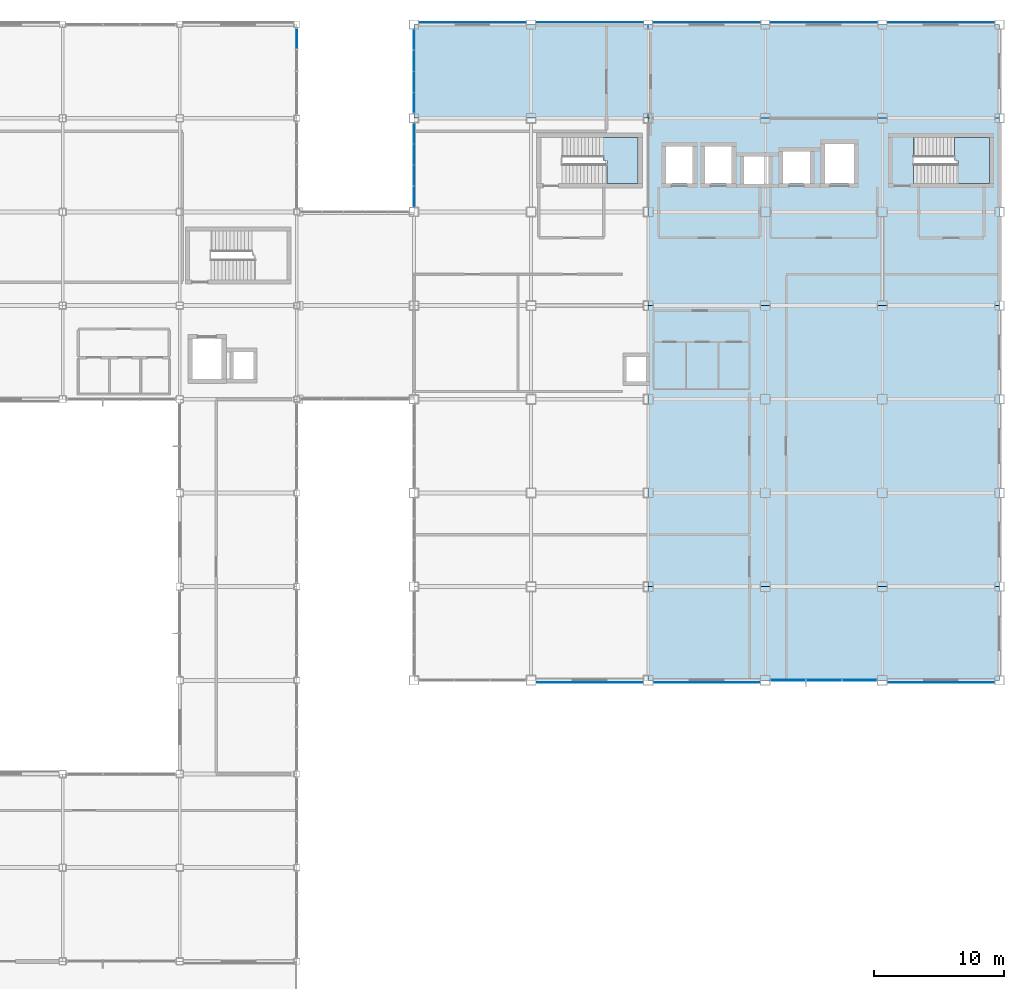
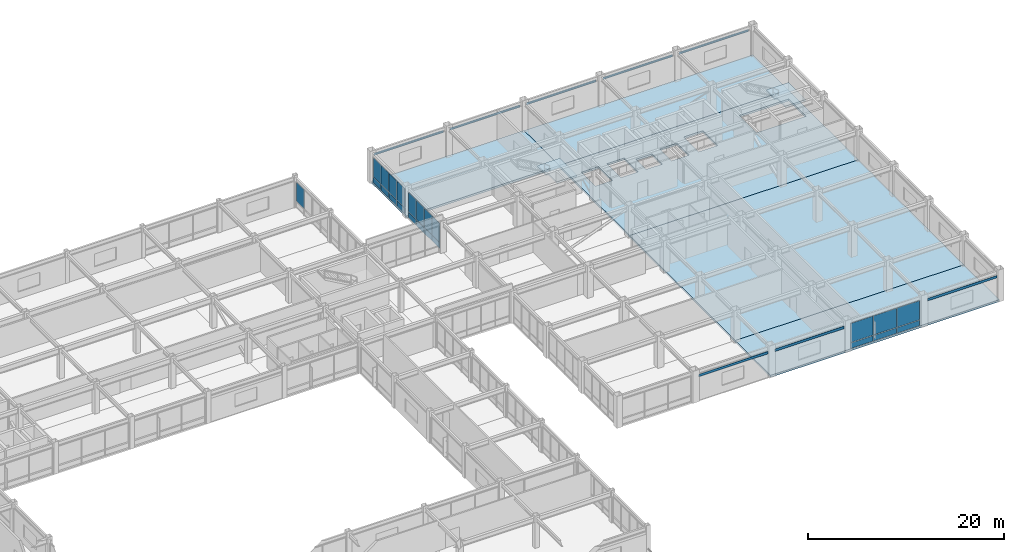
# One storey, part 97 of 122: 31 plates, 7 slabs, 6 elements without a shape of their own.
"""IFC4 building model written with IfcOpenShell, lengths in metres."""

from ifc_helpers import new_model, si_unit, direction, frame, origin, origin_2d, place, context, subcontext, project, spatial, polyline, rectangle, outline, extrude, material, layer, layer_set, type_object, element, aggregate, save


model = new_model("IFC4")

# Units and contexts
model_context = context("Model", 3, precision=1e-05, world=origin(), true_north=direction((0.0, 1.0)))
body_context = subcontext(model_context, "Body", "Model", "MODEL_VIEW")
ifc_project = project(units=[si_unit("LENGTHUNIT", "METRE"), si_unit("AREAUNIT", "SQUARE_METRE"), si_unit("VOLUMEUNIT", "CUBIC_METRE"), si_unit("PLANEANGLEUNIT", "RADIAN"), si_unit("MASSUNIT", "GRAM", prefix="KILO")], contexts=[model_context])

# Site, building, storey
site_placement = place(None, origin())
site = spatial("IfcSite", under=ifc_project, at=site_placement, CompositionType="ELEMENT")
building_placement = place(site_placement, origin())
building = spatial("IfcBuilding", under=site, at=building_placement, Name="Kazanami Central Library", CompositionType="ELEMENT")
storey_placement = place(building_placement, frame((0.0, 0.0, 4.800048828125)))
storey = spatial("IfcBuildingStorey", under=building, at=storey_placement, Name="L02", CompositionType="ELEMENT", Elevation=4.800048828125)

# Curtain wall, plates
ifc_material_1 = material(Name="Acid-Etched Low-E Laminated Glass", Category="glass")
curtain_wall_type_1 = type_object("IfcCurtainWallType", Name="CW-8250x3255-M275", PredefinedType="USERDEFINED", material=ifc_material_1)
curtain_wall_1_placement = place(storey_placement, origin())
curtain_wall_1 = element("IfcCurtainWall", 1, at=curtain_wall_1_placement, inside=storey, type_object=curtain_wall_type_1, Name="Unitised Curtain Wall CW-15 L02 S-G-16", ObjectType="UNITISED CURTAIN WALL", PredefinedType="USERDEFINED")
ifc_layer_1 = layer(ifc_material_1, 0.035888671875, Name="Acid-Etched Low-E Laminated Glass")
ifc_layer_set_1 = layer_set([ifc_layer_1], Name="Acid-Etched Low-E Laminated Glass")
plate_type_1 = type_object("IfcPlateType", Name="PLT-CW-P1", PredefinedType="CURTAIN_PANEL", material=ifc_layer_set_1)
plate_1_placement = place(storey_placement, frame((145.766357421875, 43.199951171875, 0.8125), z_axis=(0.0, 0.0, 1.0), x_axis=(1.0, 0.0, 0.0)))
plate_1 = element("IfcPlate", 2, at=plate_1_placement, type_object=plate_type_1, Name="CW-15 panel 1.2", PredefinedType="CURTAIN_PANEL", context=body_context, shape_type="SweptSolid", body=[
    extrude(rectangle(XDim=2.652587890625, YDim=0.035888671875, at=origin_2d()), origin(), (0.0, 0.0, 1.0), 2.37744140625),
])
plate_2_placement = place(storey_placement, frame((148.5, 43.199951171875, 0.8125), z_axis=(0.0, 0.0, 1.0), x_axis=(1.0, 0.0, 0.0)))
plate_2 = element("IfcPlate", 3, at=plate_2_placement, type_object=plate_type_1, Name="CW-15 panel 2.2", PredefinedType="CURTAIN_PANEL", context=body_context, shape_type="SweptSolid", body=[
    extrude(rectangle(XDim=2.68505859375, YDim=0.035888671875, at=origin_2d()), origin(), (0.0, 0.0, 1.0), 2.37744140625),
])
plate_3_placement = place(storey_placement, frame((151.233642578125, 43.199951171875, 0.8125), z_axis=(0.0, 0.0, 1.0), x_axis=(1.0, 0.0, 0.0)))
plate_3 = element("IfcPlate", 4, at=plate_3_placement, type_object=plate_type_1, Name="CW-15 panel 3.2", PredefinedType="CURTAIN_PANEL", context=body_context, shape_type="SweptSolid", body=[
    extrude(rectangle(XDim=2.652587890625, YDim=0.035888671875, at=origin_2d()), origin(), (0.0, 0.0, 1.0), 2.37744140625),
])

# Curtain wall, plate
curtain_wall_type_2 = type_object("IfcCurtainWallType", Name="CW-6750x3255-M180", PredefinedType="USERDEFINED", material=ifc_material_1)
curtain_wall_2_placement = place(storey_placement, origin())
curtain_wall_2 = element("IfcCurtainWall", 5, at=curtain_wall_2_placement, inside=storey, type_object=curtain_wall_type_2, Name="Covered Link Bridge Curtain Wall CW-21 L02 E-13-12", ObjectType="UNITISED CURTAIN WALL", PredefinedType="USERDEFINED")
ifc_material_2 = material(Name="Low-E Insulated Triple Glass", Category="glass")
ifc_layer_2 = layer(ifc_material_2, 0.0400390625, Name="Low-E Insulated Triple Glass")
ifc_layer_set_2 = layer_set([ifc_layer_2], Name="Low-E Insulated Triple Glass")
plate_type_2 = type_object("IfcPlateType", Name="PLT-CW-P3", PredefinedType="CURTAIN_PANEL", material=ifc_layer_set_2)
plate_4_placement = place(storey_placement, frame((108.0, 92.513671875, 0.81494140625), z_axis=(0.0, 0.0, 1.0), x_axis=(0.0, -1.0, 0.0)))
plate_4 = element("IfcPlate", 6, at=plate_4_placement, type_object=plate_type_2, Name="CW-21 panel 1.2", PredefinedType="CURTAIN_PANEL", context=body_context, shape_type="SweptSolid", body=[
    extrude(rectangle(XDim=1.58251953125, YDim=0.0400390625, at=origin_2d()), origin(), (0.0, 0.0, 1.0), 2.3701171875),
])
aggregate(curtain_wall_2, [plate_4])

# Curtain wall, plates
curtain_wall_type_3 = type_object("IfcCurtainWallType", Name="CW-6500x3255-M180", PredefinedType="USERDEFINED", material=ifc_material_1)
curtain_wall_3_placement = place(storey_placement, origin())
curtain_wall_3 = element("IfcCurtainWall", 7, at=curtain_wall_3_placement, inside=storey, type_object=curtain_wall_type_3, Name="Covered Link Bridge Curtain Wall CW-23 L02 W-14-11", ObjectType="UNITISED CURTAIN WALL", PredefinedType="USERDEFINED")
plate_5_placement = place(storey_placement, frame((117.0, 80.37744140625, 0.81005859375), z_axis=(0.0, 0.0, 1.0), x_axis=(0.0, 1.0, 0.0)))
plate_5 = element("IfcPlate", 8, at=plate_5_placement, type_object=plate_type_2, Name="CW-23 panel 1.2", PredefinedType="CURTAIN_PANEL", context=body_context, shape_type="SweptSolid", body=[
    extrude(rectangle(XDim=1.534912109375, YDim=0.0400390625, at=origin_2d()), origin(), (0.0, 0.0, 1.0), 2.385009765625),
])
plate_6_placement = place(storey_placement, frame((117.0, 81.987548828125, 0.81005859375), z_axis=(0.0, 0.0, 1.0), x_axis=(0.0, 1.0, 0.0)))
plate_6 = element("IfcPlate", 9, at=plate_6_placement, type_object=plate_type_2, Name="CW-23 panel 2.2", PredefinedType="CURTAIN_PANEL", context=body_context, shape_type="SweptSolid", body=[
    extrude(rectangle(XDim=1.56494140625, YDim=0.0400390625, at=origin_2d()), origin(), (0.0, 0.0, 1.0), 2.385009765625),
])
plate_7_placement = place(storey_placement, frame((117.0, 83.612548828125, 0.81005859375), z_axis=(0.0, 0.0, 1.0), x_axis=(0.0, 1.0, 0.0)))
plate_7 = element("IfcPlate", 10, at=plate_7_placement, type_object=plate_type_2, Name="CW-23 panel 3.2", PredefinedType="CURTAIN_PANEL", context=body_context, shape_type="SweptSolid", body=[
    extrude(rectangle(XDim=1.56494140625, YDim=0.0400390625, at=origin_2d()), origin(), (0.0, 0.0, 1.0), 2.385009765625),
])
plate_8_placement = place(storey_placement, frame((117.0, 85.222412109375, 0.81005859375), z_axis=(0.0, 0.0, 1.0), x_axis=(0.0, 1.0, 0.0)))
plate_8 = element("IfcPlate", 11, at=plate_8_placement, type_object=plate_type_2, Name="CW-23 panel 4.2", PredefinedType="CURTAIN_PANEL", context=body_context, shape_type="SweptSolid", body=[
    extrude(rectangle(XDim=1.534912109375, YDim=0.0400390625, at=origin_2d()), origin(), (0.0, 0.0, 1.0), 2.385009765625),
])

curtain_wall_4_placement = place(storey_placement, origin())
curtain_wall_4 = element("IfcCurtainWall", 12, at=curtain_wall_4_placement, inside=storey, type_object=curtain_wall_type_3, Name="Covered Link Bridge Curtain Wall CW-23 L02 W-14-12", ObjectType="UNITISED CURTAIN WALL", PredefinedType="USERDEFINED")
plate_9_placement = place(storey_placement, frame((117.0, 87.577392578125, 0.81005859375), z_axis=(0.0, 0.0, 1.0), x_axis=(0.0, 1.0, 0.0)))
plate_9 = element("IfcPlate", 13, at=plate_9_placement, type_object=plate_type_2, Name="CW-23 panel 1.2", PredefinedType="CURTAIN_PANEL", context=body_context, shape_type="SweptSolid", body=[
    extrude(rectangle(XDim=1.534912109375, YDim=0.0400390625, at=origin_2d()), origin(), (0.0, 0.0, 1.0), 2.385009765625),
])
plate_10_placement = place(storey_placement, frame((117.0, 89.1875, 0.81005859375), z_axis=(0.0, 0.0, 1.0), x_axis=(0.0, 1.0, 0.0)))
plate_10 = element("IfcPlate", 14, at=plate_10_placement, type_object=plate_type_2, Name="CW-23 panel 2.2", PredefinedType="CURTAIN_PANEL", context=body_context, shape_type="SweptSolid", body=[
    extrude(rectangle(XDim=1.56494140625, YDim=0.0400390625, at=origin_2d()), origin(), (0.0, 0.0, 1.0), 2.385009765625),
])
plate_11_placement = place(storey_placement, frame((117.0, 90.8125, 0.81005859375), z_axis=(0.0, 0.0, 1.0), x_axis=(0.0, 1.0, 0.0)))
plate_11 = element("IfcPlate", 15, at=plate_11_placement, type_object=plate_type_2, Name="CW-23 panel 3.2", PredefinedType="CURTAIN_PANEL", context=body_context, shape_type="SweptSolid", body=[
    extrude(rectangle(XDim=1.56494140625, YDim=0.0400390625, at=origin_2d()), origin(), (0.0, 0.0, 1.0), 2.385009765625),
])
plate_12_placement = place(storey_placement, frame((117.0, 92.422607421875, 0.81005859375), z_axis=(0.0, 0.0, 1.0), x_axis=(0.0, 1.0, 0.0)))
plate_12 = element("IfcPlate", 16, at=plate_12_placement, type_object=plate_type_2, Name="CW-23 panel 4.2", PredefinedType="CURTAIN_PANEL", context=body_context, shape_type="SweptSolid", body=[
    extrude(rectangle(XDim=1.534912109375, YDim=0.0400390625, at=origin_2d()), origin(), (0.0, 0.0, 1.0), 2.385009765625),
])

# Plate
ifc_material_3 = material(Name="Anodised Aluminium A5052-H32", Category="aluminium")
ifc_layer_3 = layer(ifc_material_3, 0.052001953125, Name="Anodised Aluminium A5052-H32")
ifc_layer_set_3 = layer_set([ifc_layer_3], Name="Anodised Aluminium A5052-H32")
plate_type_3 = type_object("IfcPlateType", Name="PLT-CW-SP2", PredefinedType="CURTAIN_PANEL", material=ifc_layer_set_3)
plate_13_placement = place(storey_placement, frame((145.766357421875, 43.199951171875, 0.06494140625), z_axis=(0.0, 0.0, 1.0), x_axis=(1.0, 0.0, 0.0)))
plate_13 = element("IfcPlate", 17, at=plate_13_placement, type_object=plate_type_3, Name="CW-15 panel 1.1", PredefinedType="CURTAIN_PANEL", context=body_context, shape_type="SweptSolid", body=[
    extrude(rectangle(XDim=2.652587890625, YDim=0.052001953125, at=origin_2d()), origin(), (0.0, 0.0, 1.0), 0.6826171875),
])

plate_14_placement = place(storey_placement, frame((148.5, 43.199951171875, 0.06494140625), z_axis=(0.0, 0.0, 1.0), x_axis=(1.0, 0.0, 0.0)))
plate_14 = element("IfcPlate", 18, at=plate_14_placement, type_object=plate_type_3, Name="CW-15 panel 2.1", PredefinedType="CURTAIN_PANEL", context=body_context, shape_type="SweptSolid", body=[
    extrude(rectangle(XDim=2.68505859375, YDim=0.052001953125, at=origin_2d()), origin(), (0.0, 0.0, 1.0), 0.6826171875),
])

plate_15_placement = place(storey_placement, frame((151.233642578125, 43.199951171875, 0.06494140625), z_axis=(0.0, 0.0, 1.0), x_axis=(1.0, 0.0, 0.0)))
plate_15 = element("IfcPlate", 19, at=plate_15_placement, type_object=plate_type_3, Name="CW-15 panel 3.1", PredefinedType="CURTAIN_PANEL", context=body_context, shape_type="SweptSolid", body=[
    extrude(rectangle(XDim=2.652587890625, YDim=0.052001953125, at=origin_2d()), origin(), (0.0, 0.0, 1.0), 0.6826171875),
])

aggregate(curtain_wall_1, [plate_13, plate_1, plate_14, plate_2, plate_15, plate_3])

plate_16_placement = place(storey_placement, frame((117.0, 80.37744140625, 0.06005859375), z_axis=(0.0, 0.0, 1.0), x_axis=(0.0, 1.0, 0.0)))
plate_16 = element("IfcPlate", 20, at=plate_16_placement, type_object=plate_type_3, Name="CW-23 panel 1.1", PredefinedType="CURTAIN_PANEL", context=body_context, shape_type="SweptSolid", body=[
    extrude(rectangle(XDim=1.534912109375, YDim=0.052001953125, at=origin_2d()), origin(), (0.0, 0.0, 1.0), 0.68994140625),
])

plate_17_placement = place(storey_placement, frame((117.0, 81.987548828125, 0.06005859375), z_axis=(0.0, 0.0, 1.0), x_axis=(0.0, 1.0, 0.0)))
plate_17 = element("IfcPlate", 21, at=plate_17_placement, type_object=plate_type_3, Name="CW-23 panel 2.1", PredefinedType="CURTAIN_PANEL", context=body_context, shape_type="SweptSolid", body=[
    extrude(rectangle(XDim=1.56494140625, YDim=0.052001953125, at=origin_2d()), origin(), (0.0, 0.0, 1.0), 0.68994140625),
])

plate_18_placement = place(storey_placement, frame((117.0, 83.612548828125, 0.06005859375), z_axis=(0.0, 0.0, 1.0), x_axis=(0.0, 1.0, 0.0)))
plate_18 = element("IfcPlate", 22, at=plate_18_placement, type_object=plate_type_3, Name="CW-23 panel 3.1", PredefinedType="CURTAIN_PANEL", context=body_context, shape_type="SweptSolid", body=[
    extrude(rectangle(XDim=1.56494140625, YDim=0.052001953125, at=origin_2d()), origin(), (0.0, 0.0, 1.0), 0.68994140625),
])

plate_19_placement = place(storey_placement, frame((117.0, 85.222412109375, 0.06005859375), z_axis=(0.0, 0.0, 1.0), x_axis=(0.0, 1.0, 0.0)))
plate_19 = element("IfcPlate", 23, at=plate_19_placement, type_object=plate_type_3, Name="CW-23 panel 4.1", PredefinedType="CURTAIN_PANEL", context=body_context, shape_type="SweptSolid", body=[
    extrude(rectangle(XDim=1.534912109375, YDim=0.052001953125, at=origin_2d()), origin(), (0.0, 0.0, 1.0), 0.68994140625),
])

aggregate(curtain_wall_3, [plate_16, plate_5, plate_17, plate_6, plate_18, plate_7, plate_19, plate_8])

plate_20_placement = place(storey_placement, frame((117.0, 87.577392578125, 0.06005859375), z_axis=(0.0, 0.0, 1.0), x_axis=(0.0, 1.0, 0.0)))
plate_20 = element("IfcPlate", 24, at=plate_20_placement, type_object=plate_type_3, Name="CW-23 panel 1.1", PredefinedType="CURTAIN_PANEL", context=body_context, shape_type="SweptSolid", body=[
    extrude(rectangle(XDim=1.534912109375, YDim=0.052001953125, at=origin_2d()), origin(), (0.0, 0.0, 1.0), 0.68994140625),
])

plate_21_placement = place(storey_placement, frame((117.0, 89.1875, 0.06005859375), z_axis=(0.0, 0.0, 1.0), x_axis=(0.0, 1.0, 0.0)))
plate_21 = element("IfcPlate", 25, at=plate_21_placement, type_object=plate_type_3, Name="CW-23 panel 2.1", PredefinedType="CURTAIN_PANEL", context=body_context, shape_type="SweptSolid", body=[
    extrude(rectangle(XDim=1.56494140625, YDim=0.052001953125, at=origin_2d()), origin(), (0.0, 0.0, 1.0), 0.68994140625),
])

plate_22_placement = place(storey_placement, frame((117.0, 90.8125, 0.06005859375), z_axis=(0.0, 0.0, 1.0), x_axis=(0.0, 1.0, 0.0)))
plate_22 = element("IfcPlate", 26, at=plate_22_placement, type_object=plate_type_3, Name="CW-23 panel 3.1", PredefinedType="CURTAIN_PANEL", context=body_context, shape_type="SweptSolid", body=[
    extrude(rectangle(XDim=1.56494140625, YDim=0.052001953125, at=origin_2d()), origin(), (0.0, 0.0, 1.0), 0.68994140625),
])

plate_23_placement = place(storey_placement, frame((117.0, 92.422607421875, 0.06005859375), z_axis=(0.0, 0.0, 1.0), x_axis=(0.0, 1.0, 0.0)))
plate_23 = element("IfcPlate", 27, at=plate_23_placement, type_object=plate_type_3, Name="CW-23 panel 4.1", PredefinedType="CURTAIN_PANEL", context=body_context, shape_type="SweptSolid", body=[
    extrude(rectangle(XDim=1.534912109375, YDim=0.052001953125, at=origin_2d()), origin(), (0.0, 0.0, 1.0), 0.68994140625),
])

aggregate(curtain_wall_4, [plate_20, plate_9, plate_21, plate_10, plate_22, plate_11, plate_23, plate_12])

# Plates
ifc_layer_4 = layer(ifc_material_3, 0.010009765625, Name="Anodised Aluminium A5052-H32")
ifc_layer_set_4 = layer_set([ifc_layer_4], Name="Anodised Aluminium A5052-H32")
plate_type_4 = type_object("IfcPlateType", Name="PLT-SPN-10", PredefinedType="SHEET", material=ifc_layer_set_4)
plate_24_placement = place(storey_placement, frame((148.5, 93.764892578125, 2.94482421875), z_axis=(0.0, 0.0, 1.0), x_axis=(-1.0, 0.0, 0.0)))
element("IfcPlate", 28, at=plate_24_placement, inside=storey, type_object=plate_type_4, Name="Architectural Spandrel Sheet SPN-10 L02 N-O-16", PredefinedType="SHEET", context=body_context, shape_type="SweptSolid", body=[
    extrude(rectangle(XDim=8.199951171875, YDim=0.010009765625, at=origin_2d()), origin(), (0.0, 0.0, 1.0), 0.300048828125),
])
ifc_layer_5 = layer(ifc_material_3, 0.011962890625, Name="Anodised Aluminium A5052-H32")
ifc_layer_set_5 = layer_set([ifc_layer_5], Name="Anodised Aluminium A5052-H32")
plate_type_5 = type_object("IfcPlateType", Name="PLT-SPN-12", PredefinedType="SHEET", material=ifc_layer_set_5)
plate_25_placement = place(storey_placement, frame((157.512451171875, 43.033935546875, 2.94482421875), z_axis=(0.0, 0.0, 1.0), x_axis=(1.0, 0.0, 0.0)))
element("IfcPlate", 29, at=plate_25_placement, inside=storey, type_object=plate_type_5, Name="Architectural Spandrel Sheet SPN-12 L02 S-G-17", PredefinedType="SHEET", context=body_context, shape_type="SweptSolid", body=[
    extrude(rectangle(XDim=8.175048828125, YDim=0.011962890625, at=origin_2d()), origin(), (0.0, 0.0, 1.0), 0.300048828125),
])
plate_26_placement = place(storey_placement, frame((157.5, 93.76611328125, 2.94482421875), z_axis=(0.0, 0.0, 1.0), x_axis=(-1.0, 0.0, 0.0)))
element("IfcPlate", 30, at=plate_26_placement, inside=storey, type_object=plate_type_5, Name="Architectural Spandrel Sheet SPN-12 L02 N-O-17", PredefinedType="SHEET", context=body_context, shape_type="SweptSolid", body=[
    extrude(rectangle(XDim=8.199951171875, YDim=0.011962890625, at=origin_2d()), origin(), (0.0, 0.0, 1.0), 0.300048828125),
])
ifc_layer_6 = layer(ifc_material_3, 0.01611328125, Name="Anodised Aluminium A5052-H32")
ifc_layer_set_6 = layer_set([ifc_layer_6], Name="Anodised Aluminium A5052-H32")
plate_type_6 = type_object("IfcPlateType", Name="PLT-SPN-16", PredefinedType="SHEET", material=ifc_layer_set_6)
plate_27_placement = place(storey_placement, frame((121.5, 93.76806640625, 2.94482421875), z_axis=(0.0, 0.0, 1.0), x_axis=(-1.0, 0.0, 0.0)))
element("IfcPlate", 31, at=plate_27_placement, inside=storey, type_object=plate_type_6, Name="Architectural Spandrel Sheet SPN-16 L02 N-O-13", PredefinedType="SHEET", context=body_context, shape_type="SweptSolid", body=[
    extrude(rectangle(XDim=8.199951171875, YDim=0.01611328125, at=origin_2d()), origin(), (0.0, 0.0, 1.0), 0.300048828125),
])
ifc_layer_7 = layer(ifc_material_3, 0.01806640625, Name="Anodised Aluminium A5052-H32")
ifc_layer_set_7 = layer_set([ifc_layer_7], Name="Anodised Aluminium A5052-H32")
plate_type_7 = type_object("IfcPlateType", Name="PLT-SPN-18", PredefinedType="SHEET", material=ifc_layer_set_7)
plate_28_placement = place(storey_placement, frame((130.5, 43.031005859375, 2.94482421875), z_axis=(0.0, 0.0, 1.0), x_axis=(1.0, 0.0, 0.0)))
element("IfcPlate", 32, at=plate_28_placement, inside=storey, type_object=plate_type_7, Name="Architectural Spandrel Sheet SPN-18 L02 S-G-14", PredefinedType="SHEET", context=body_context, shape_type="SweptSolid", body=[
    extrude(rectangle(XDim=8.14990234375, YDim=0.01806640625, at=origin_2d()), origin(), (0.0, 0.0, 1.0), 0.300048828125),
])
plate_29_placement = place(storey_placement, frame((130.5, 93.76904296875, 2.94482421875), z_axis=(0.0, 0.0, 1.0), x_axis=(-1.0, 0.0, 0.0)))
element("IfcPlate", 33, at=plate_29_placement, inside=storey, type_object=plate_type_7, Name="Architectural Spandrel Sheet SPN-18 L02 N-O-14", PredefinedType="SHEET", context=body_context, shape_type="SweptSolid", body=[
    extrude(rectangle(XDim=8.199951171875, YDim=0.01806640625, at=origin_2d()), origin(), (0.0, 0.0, 1.0), 0.300048828125),
])
ifc_layer_8 = layer(ifc_material_3, 0.02001953125, Name="Anodised Aluminium A5052-H32")
ifc_layer_set_8 = layer_set([ifc_layer_8], Name="Anodised Aluminium A5052-H32")
plate_type_8 = type_object("IfcPlateType", Name="PLT-SPN-20", PredefinedType="SHEET", material=ifc_layer_set_8)
plate_30_placement = place(storey_placement, frame((139.5, 43.030029296875, 2.94482421875), z_axis=(0.0, 0.0, 1.0), x_axis=(1.0, 0.0, 0.0)))
element("IfcPlate", 34, at=plate_30_placement, inside=storey, type_object=plate_type_8, Name="Architectural Spandrel Sheet SPN-20 L02 S-G-15", PredefinedType="SHEET", context=body_context, shape_type="SweptSolid", body=[
    extrude(rectangle(XDim=8.14990234375, YDim=0.02001953125, at=origin_2d()), origin(), (0.0, 0.0, 1.0), 0.300048828125),
])
plate_31_placement = place(storey_placement, frame((139.5, 93.77001953125, 2.94482421875), z_axis=(0.0, 0.0, 1.0), x_axis=(-1.0, 0.0, 0.0)))
element("IfcPlate", 35, at=plate_31_placement, inside=storey, type_object=plate_type_8, Name="Architectural Spandrel Sheet SPN-20 L02 N-O-15", PredefinedType="SHEET", context=body_context, shape_type="SweptSolid", body=[
    extrude(rectangle(XDim=8.199951171875, YDim=0.02001953125, at=origin_2d()), origin(), (0.0, 0.0, 1.0), 0.300048828125),
])

# Slabs
ifc_material_4 = material(Name="Concrete Fc36 (36 MPa)", Category="concrete")
ifc_layer_9 = layer(ifc_material_4, 0.2451171875, Name="Concrete Fc36 (36 MPa)")
ifc_layer_set_9 = layer_set([ifc_layer_9], Name="Concrete Fc36 (36 MPa)")
slab_type_1 = type_object("IfcSlabType", Name="SLB-FLR-245", PredefinedType="FLOOR", material=ifc_layer_set_9)
slab_1_placement = place(storey_placement, frame((0.0, 0.0, -0.2451171875)))
element("IfcSlab", 36, at=slab_1_placement, inside=storey, type_object=slab_type_1, Name="Composite Floor Slab L02 V2-MAIN Zone 34", PredefinedType="FLOOR", context=body_context, shape_type="SweptSolid", body=[
    extrude(outline(polyline([(117.0, 86.39990234375), (135.0, 86.39990234375), (135.0, 93.60009765625), (117.0, 93.60009765625), (117.0, 86.39990234375)])), origin(), (0.0, 0.0, 1.0), 0.2451171875),
])
slab_2_placement = place(storey_placement, frame((0.0, 0.0, -0.2451171875)))
element("IfcSlab", 37, at=slab_2_placement, inside=storey, type_object=slab_type_1, Name="Composite Floor Slab L02 V2-MAIN Zone 35", PredefinedType="FLOOR", context=body_context, shape_type="SweptSolid", body=[
    extrude(outline(polyline([(135.0, 43.199951171875), (162.0, 43.199951171875), (162.0, 50.39990234375), (135.0, 50.39990234375), (135.0, 43.199951171875)])), origin(), (0.0, 0.0, 1.0), 0.2451171875),
])
slab_3_placement = place(storey_placement, frame((0.0, 0.0, -0.2451171875)))
element("IfcSlab", 38, at=slab_3_placement, inside=storey, type_object=slab_type_1, Name="Composite Floor Slab L02 V2-MAIN Zone 36", PredefinedType="FLOOR", context=body_context, shape_type="SweptSolid", body=[
    extrude(outline(polyline([(135.0, 50.39990234375), (162.0, 50.39990234375), (162.0, 72.0), (135.0, 72.0), (135.0, 50.39990234375)])), origin(), (0.0, 0.0, 1.0), 0.2451171875),
])
slab_4_placement = place(storey_placement, frame((0.0, 0.0, -0.2451171875)))
element("IfcSlab", 39, at=slab_4_placement, inside=storey, type_object=slab_type_1, Name="Composite Floor Slab L02 V2-MAIN Zone 37", PredefinedType="FLOOR", context=body_context, shape_type="SweptSolid", body=[
    extrude(outline(polyline([(135.0, 72.0), (162.0, 72.0), (162.0, 86.39990234375), (135.0, 86.39990234375), (135.0, 72.0)]), holes=[polyline([(155.39990234375, 81.375), (161.22509765625, 81.375), (161.22509765625, 84.925048828125), (155.39990234375, 84.925048828125), (155.39990234375, 81.375)]), polyline([(136.375, 81.375), (138.425048828125, 81.375), (138.425048828125, 84.22509765625), (136.375, 84.22509765625), (136.375, 81.375)]), polyline([(139.375, 81.375), (141.425048828125, 81.375), (141.425048828125, 84.22509765625), (139.375, 84.22509765625), (139.375, 81.375)]), polyline([(145.375, 81.375), (147.425048828125, 81.375), (147.425048828125, 83.824951171875), (145.375, 83.824951171875), (145.375, 81.375)]), polyline([(148.574951171875, 81.375), (150.824951171875, 81.375), (150.824951171875, 84.425048828125), (148.574951171875, 84.425048828125), (148.574951171875, 81.375)]), polyline([(142.35009765625, 81.35009765625), (144.25, 81.35009765625), (144.25, 83.449951171875), (142.35009765625, 83.449951171875), (142.35009765625, 81.35009765625)])]), origin(), (0.0, 0.0, 1.0), 0.2451171875),
])
slab_5_placement = place(storey_placement, frame((0.0, 0.0, -0.2451171875)))
element("IfcSlab", 40, at=slab_5_placement, inside=storey, type_object=slab_type_1, Name="Composite Floor Slab L02 V2-MAIN Zone 38", PredefinedType="FLOOR", context=body_context, shape_type="SweptSolid", body=[
    extrude(outline(polyline([(135.0, 86.39990234375), (162.0, 86.39990234375), (162.0, 93.60009765625), (135.0, 93.60009765625), (135.0, 86.39990234375)])), origin(), (0.0, 0.0, 1.0), 0.2451171875),
])

# Stair, slab
stair_type = type_object("IfcStairType", Name="STR-T40", PredefinedType="HALF_TURN_STAIR", material=ifc_material_4)
stair_1_placement = place(storey_placement, origin())
stair_1 = element("IfcStair", 41, at=stair_1_placement, inside=storey, type_object=stair_type, Name="Enclosed Escape Stair ST-01 (L02)", PredefinedType="HALF_TURN_STAIR")
ifc_layer_10 = layer(ifc_material_4, 0.179931640625, Name="Concrete Fc36 (36 MPa)")
ifc_layer_set_10 = layer_set([ifc_layer_10], Name="Concrete Fc36 (36 MPa)")
slab_type_2 = type_object("IfcSlabType", Name="SLB-LND-180", PredefinedType="LANDING", material=ifc_layer_set_10)
slab_6_placement = place(storey_placement, frame((0.0, 0.0, 1.89990234375)))
slab_6 = element("IfcSlab", 42, at=slab_6_placement, type_object=slab_type_2, Name="ST-01 landing 1", PredefinedType="LANDING", context=body_context, shape_type="SweptSolid", body=[
    extrude(outline(polyline([(131.827880859375, 81.375), (134.22509765625, 81.375), (134.22509765625, 84.925048828125), (131.548095703125, 84.925048828125), (131.548095703125, 83.14990234375), (131.827880859375, 83.14990234375), (131.827880859375, 81.375)])), origin(), (0.0, 0.0, 1.0), 0.179931640625),
])
aggregate(stair_1, [slab_6])

stair_2_placement = place(storey_placement, origin())
stair_2 = element("IfcStair", 43, at=stair_2_placement, inside=storey, type_object=stair_type, Name="Enclosed Escape Stair ST-02 (L02)", PredefinedType="HALF_TURN_STAIR")
slab_7_placement = place(storey_placement, frame((0.0, 0.0, 1.89990234375)))
slab_7 = element("IfcSlab", 44, at=slab_7_placement, type_object=slab_type_2, Name="ST-02 landing 1", PredefinedType="LANDING", context=body_context, shape_type="SweptSolid", body=[
    extrude(outline(polyline([(158.827880859375, 81.375), (161.22509765625, 81.375), (161.22509765625, 84.925048828125), (158.548095703125, 84.925048828125), (158.548095703125, 83.14990234375), (158.827880859375, 83.14990234375), (158.827880859375, 81.375)])), origin(), (0.0, 0.0, 1.0), 0.179931640625),
])
aggregate(stair_2, [slab_7])

save(model, "model.ifc")
